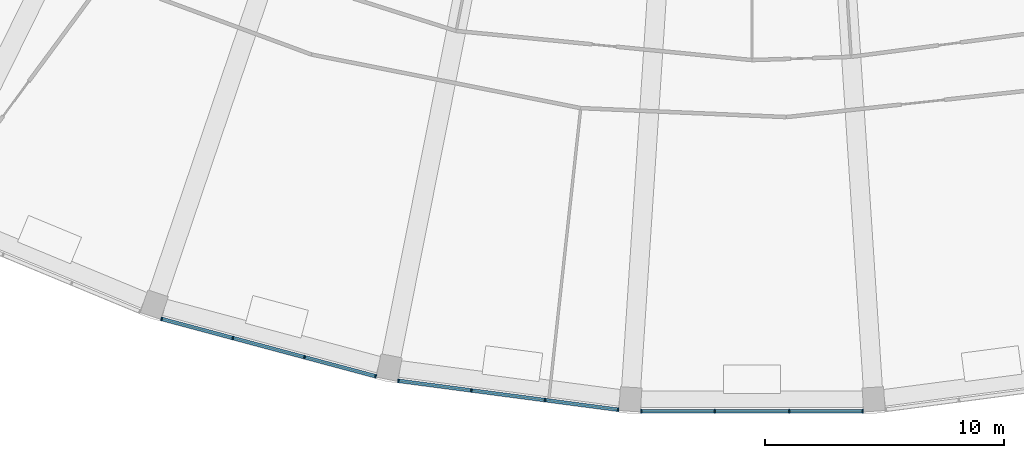
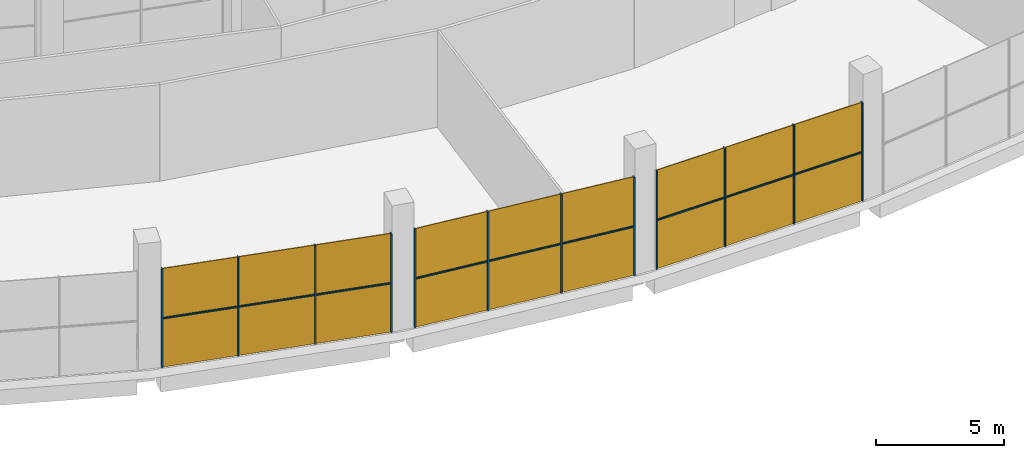
# One storey, part 26 of 41: 21 members, 3 curtain walls.
"""IFC4 building model written with IfcOpenShell, lengths in metres."""

from ifc_helpers import new_model, si_unit, direction, frame, origin, origin_2d, place, context, subcontext, project, spatial, rectangle, extrude, material, material_profile, profile_set, type_object, element, aggregate, save


model = new_model("IFC4")

# Units and contexts
model_context = context("Model", 3, precision=1e-05, world=origin(), true_north=direction((0.0, 1.0)))
body_context = subcontext(model_context, "Body", "Model", "MODEL_VIEW")
ifc_project = project(units=[si_unit("LENGTHUNIT", "METRE"), si_unit("AREAUNIT", "SQUARE_METRE"), si_unit("VOLUMEUNIT", "CUBIC_METRE"), si_unit("PLANEANGLEUNIT", "RADIAN"), si_unit("MASSUNIT", "GRAM", prefix="KILO")], contexts=[model_context])

# Member
ifc_material = material(Name="Aluminium 6063-T6 anodised", Category="aluminium")
ifc_material_profile_1 = material_profile(ifc_material, rectangle(XDim=0.14990234375, YDim=0.050048828125, at=origin_2d()))
ifc_profile_set_1 = profile_set([ifc_material_profile_1], Name="Aluminium 6063-T6 anodised")
member_type_1 = type_object("IfcMemberType", Name="Mullion 50 x 150 aluminium, frameless", PredefinedType="MULLION", material=ifc_profile_set_1)
site_placement = place(None, origin())
building_placement = place(site_placement, origin())
storey_placement = place(building_placement, frame((0.0, 0.0, 284.699951171875)))
member_1_placement = place(storey_placement, frame((-24.685546875, -74.22216796875, 0.0), z_axis=(0.0, 0.0, 1.0), x_axis=(0.258819045103, 0.965925826289, 0.0)))
member_1 = element("IfcMember", 1, at=member_1_placement, type_object=member_type_1, Name="e-cw3-L69-out05/M00", PredefinedType="MULLION", context=body_context, shape_type="SweptSolid", body=[
    extrude(rectangle(XDim=0.14990234375, YDim=0.050048828125, at=origin_2d()), origin(), (0.0, 0.0, 1.0), 4.699951171875),
])

member_2_placement = place(storey_placement, frame((-21.70947265625, -75.019775390625, 0.0), z_axis=(0.0, 0.0, 1.0), x_axis=(0.258819045103, 0.965925826289, 0.0)))
member_2 = element("IfcMember", 2, at=member_2_placement, type_object=member_type_1, Name="e-cw3-L69-out05/M01", PredefinedType="MULLION", context=body_context, shape_type="SweptSolid", body=[
    extrude(rectangle(XDim=0.14990234375, YDim=0.050048828125, at=origin_2d()), origin(), (0.0, 0.0, 1.0), 4.699951171875),
])

member_3_placement = place(storey_placement, frame((-18.708984375, -75.82373046875, 0.0), z_axis=(0.0, 0.0, 1.0), x_axis=(0.258819045103, 0.965925826289, 0.0)))
member_3 = element("IfcMember", 3, at=member_3_placement, type_object=member_type_1, Name="e-cw3-L69-out05/M02", PredefinedType="MULLION", context=body_context, shape_type="SweptSolid", body=[
    extrude(rectangle(XDim=0.14990234375, YDim=0.050048828125, at=origin_2d()), origin(), (0.0, 0.0, 1.0), 4.699951171875),
])

member_4_placement = place(storey_placement, frame((-15.732666015625, -76.62109375, 0.0), z_axis=(0.0, 0.0, 1.0), x_axis=(0.258819045103, 0.965925826289, 0.0)))
member_4 = element("IfcMember", 4, at=member_4_placement, type_object=member_type_1, Name="e-cw3-L69-out05/M03", PredefinedType="MULLION", context=body_context, shape_type="SweptSolid", body=[
    extrude(rectangle(XDim=0.14990234375, YDim=0.050048828125, at=origin_2d()), origin(), (0.0, 0.0, 1.0), 4.699951171875),
])

member_5_placement = place(storey_placement, frame((-14.786376953125, -76.809326171875, 0.0), z_axis=(0.0, 0.0, 1.0), x_axis=(0.13052619222, 0.991444861374, 0.0)))
member_5 = element("IfcMember", 5, at=member_5_placement, type_object=member_type_1, Name="e-cw3-L69-out06/M00", PredefinedType="MULLION", context=body_context, shape_type="SweptSolid", body=[
    extrude(rectangle(XDim=0.14990234375, YDim=0.050048828125, at=origin_2d()), origin(), (0.0, 0.0, 1.0), 4.699951171875),
])

member_6_placement = place(storey_placement, frame((-11.731689453125, -77.21142578125, 0.0), z_axis=(0.0, 0.0, 1.0), x_axis=(0.13052619222, 0.991444861374, 0.0)))
member_6 = element("IfcMember", 6, at=member_6_placement, type_object=member_type_1, Name="e-cw3-L69-out06/M01", PredefinedType="MULLION", context=body_context, shape_type="SweptSolid", body=[
    extrude(rectangle(XDim=0.14990234375, YDim=0.050048828125, at=origin_2d()), origin(), (0.0, 0.0, 1.0), 4.699951171875),
])

member_7_placement = place(storey_placement, frame((-8.65185546875, -77.616943359375, 0.0), z_axis=(0.0, 0.0, 1.0), x_axis=(0.13052619222, 0.991444861374, 0.0)))
member_7 = element("IfcMember", 7, at=member_7_placement, type_object=member_type_1, Name="e-cw3-L69-out06/M02", PredefinedType="MULLION", context=body_context, shape_type="SweptSolid", body=[
    extrude(rectangle(XDim=0.14990234375, YDim=0.050048828125, at=origin_2d()), origin(), (0.0, 0.0, 1.0), 4.699951171875),
])

member_8_placement = place(storey_placement, frame((-5.59716796875, -78.01904296875, 0.0), z_axis=(0.0, 0.0, 1.0), x_axis=(0.13052619222, 0.991444861374, 0.0)))
member_8 = element("IfcMember", 8, at=member_8_placement, type_object=member_type_1, Name="e-cw3-L69-out06/M03", PredefinedType="MULLION", context=body_context, shape_type="SweptSolid", body=[
    extrude(rectangle(XDim=0.14990234375, YDim=0.050048828125, at=origin_2d()), origin(), (0.0, 0.0, 1.0), 4.699951171875),
])

member_9_placement = place(storey_placement, frame((-4.63427734375, -78.082275390625, 0.0), z_axis=(0.0, 0.0, 1.0), x_axis=(0.0, 1.0, 0.0)))
member_9 = element("IfcMember", 9, at=member_9_placement, type_object=member_type_1, Name="e-cw3-L69-out07/M00", PredefinedType="MULLION", context=body_context, shape_type="SweptSolid", body=[
    extrude(rectangle(XDim=0.14990234375, YDim=0.050048828125, at=origin_2d()), origin(), (0.0, 0.0, 1.0), 4.699951171875),
])

member_10_placement = place(storey_placement, frame((-1.55322265625, -78.082275390625, 0.0), z_axis=(0.0, 0.0, 1.0), x_axis=(0.0, 1.0, 0.0)))
member_10 = element("IfcMember", 10, at=member_10_placement, type_object=member_type_1, Name="e-cw3-L69-out07/M01", PredefinedType="MULLION", context=body_context, shape_type="SweptSolid", body=[
    extrude(rectangle(XDim=0.14990234375, YDim=0.050048828125, at=origin_2d()), origin(), (0.0, 0.0, 1.0), 4.699951171875),
])

member_11_placement = place(storey_placement, frame((1.55322265625, -78.082275390625, 0.0), z_axis=(0.0, 0.0, 1.0), x_axis=(0.0, 1.0, 0.0)))
member_11 = element("IfcMember", 11, at=member_11_placement, type_object=member_type_1, Name="e-cw3-L69-out07/M02", PredefinedType="MULLION", context=body_context, shape_type="SweptSolid", body=[
    extrude(rectangle(XDim=0.14990234375, YDim=0.050048828125, at=origin_2d()), origin(), (0.0, 0.0, 1.0), 4.699951171875),
])

member_12_placement = place(storey_placement, frame((4.63427734375, -78.082275390625, 0.0), z_axis=(0.0, 0.0, 1.0), x_axis=(0.0, 1.0, 0.0)))
member_12 = element("IfcMember", 12, at=member_12_placement, type_object=member_type_1, Name="e-cw3-L69-out07/M03", PredefinedType="MULLION", context=body_context, shape_type="SweptSolid", body=[
    extrude(rectangle(XDim=0.14990234375, YDim=0.050048828125, at=origin_2d()), origin(), (0.0, 0.0, 1.0), 4.699951171875),
])

ifc_material_profile_2 = material_profile(ifc_material, rectangle(XDim=0.14990234375, YDim=0.050048828125, at=origin_2d()))
ifc_profile_set_2 = profile_set([ifc_material_profile_2], Name="Aluminium 6063-T6 anodised")
member_type_2 = type_object("IfcMemberType", Name="Transom 50 x 150 aluminium, frameless", PredefinedType="USERDEFINED", material=ifc_profile_set_2)
member_13_placement = place(storey_placement, frame((-24.661376953125, -74.228759765625, 2.35009765625), z_axis=(0.965936188505, -0.258780369688, 0.0), x_axis=(0.258780369688, 0.965936188505, 0.0)))
member_13 = element("IfcMember", 13, at=member_13_placement, type_object=member_type_2, Name="e-cw3-L69-out05/T00", ObjectType="TRANSOM", PredefinedType="USERDEFINED", context=body_context, shape_type="SweptSolid", body=[
    extrude(rectangle(XDim=0.14990234375, YDim=0.050048828125, at=origin_2d()), origin(), (0.0, 0.0, 1.0), 3.03125),
])

member_14_placement = place(storey_placement, frame((-21.685302734375, -75.026123046875, 2.35009765625), z_axis=(0.965926657748, -0.258815942036, 0.0), x_axis=(0.258815942036, 0.965926657748, 0.0)))
member_14 = element("IfcMember", 14, at=member_14_placement, type_object=member_type_2, Name="e-cw3-L69-out05/T01", ObjectType="TRANSOM", PredefinedType="USERDEFINED", context=body_context, shape_type="SweptSolid", body=[
    extrude(rectangle(XDim=0.14990234375, YDim=0.050048828125, at=origin_2d()), origin(), (0.0, 0.0, 1.0), 3.056396484375),
])

member_15_placement = place(storey_placement, frame((-18.684814453125, -75.830078125, 2.35009765625), z_axis=(0.965916053379, -0.258855515347, 0.0), x_axis=(0.258855515347, 0.965916053379, 0.0)))
member_15 = element("IfcMember", 15, at=member_15_placement, type_object=member_type_2, Name="e-cw3-L69-out05/T02", ObjectType="TRANSOM", PredefinedType="USERDEFINED", context=body_context, shape_type="SweptSolid", body=[
    extrude(rectangle(XDim=0.14990234375, YDim=0.050048828125, at=origin_2d()), origin(), (0.0, 0.0, 1.0), 3.03125),
])

member_16_placement = place(storey_placement, frame((-14.76171875, -76.8125, 2.35009765625), z_axis=(0.991441132243, -0.130554514652, 0.0), x_axis=(0.130554514652, 0.991441132243, 0.0)))
member_16 = element("IfcMember", 16, at=member_16_placement, type_object=member_type_2, Name="e-cw3-L69-out06/T00", ObjectType="TRANSOM", PredefinedType="USERDEFINED", context=body_context, shape_type="SweptSolid", body=[
    extrude(rectangle(XDim=0.14990234375, YDim=0.050048828125, at=origin_2d()), origin(), (0.0, 0.0, 1.0), 3.03125),
])

member_17_placement = place(storey_placement, frame((-11.706787109375, -77.21484375, 2.35009765625), z_axis=(0.991444232282, -0.130530970554, 0.0), x_axis=(0.130530970554, 0.991444232282, 0.0)))
member_17 = element("IfcMember", 17, at=member_17_placement, type_object=member_type_2, Name="e-cw3-L69-out06/T01", ObjectType="TRANSOM", PredefinedType="USERDEFINED", context=body_context, shape_type="SweptSolid", body=[
    extrude(rectangle(XDim=0.14990234375, YDim=0.050048828125, at=origin_2d()), origin(), (0.0, 0.0, 1.0), 3.05615234375),
])

member_18_placement = place(storey_placement, frame((-8.627197265625, -77.6201171875, 2.35009765625), z_axis=(0.991441132243, -0.130554514652, 0.0), x_axis=(0.130554514652, 0.991441132243, 0.0)))
member_18 = element("IfcMember", 18, at=member_18_placement, type_object=member_type_2, Name="e-cw3-L69-out06/T02", ObjectType="TRANSOM", PredefinedType="USERDEFINED", context=body_context, shape_type="SweptSolid", body=[
    extrude(rectangle(XDim=0.14990234375, YDim=0.050048828125, at=origin_2d()), origin(), (0.0, 0.0, 1.0), 3.03125),
])

member_19_placement = place(storey_placement, frame((-4.609375, -78.082275390625, 2.35009765625), z_axis=(1.0, 0.0, 0.0), x_axis=(0.0, 1.0, 0.0)))
member_19 = element("IfcMember", 19, at=member_19_placement, type_object=member_type_2, Name="e-cw3-L69-out07/T00", ObjectType="TRANSOM", PredefinedType="USERDEFINED", context=body_context, shape_type="SweptSolid", body=[
    extrude(rectangle(XDim=0.14990234375, YDim=0.050048828125, at=origin_2d()), origin(), (0.0, 0.0, 1.0), 3.03125),
])

member_20_placement = place(storey_placement, frame((-1.528076171875, -78.082275390625, 2.35009765625), z_axis=(1.0, 0.0, 0.0), x_axis=(0.0, 1.0, 0.0)))
member_20 = element("IfcMember", 20, at=member_20_placement, type_object=member_type_2, Name="e-cw3-L69-out07/T01", ObjectType="TRANSOM", PredefinedType="USERDEFINED", context=body_context, shape_type="SweptSolid", body=[
    extrude(rectangle(XDim=0.14990234375, YDim=0.050048828125, at=origin_2d()), origin(), (0.0, 0.0, 1.0), 3.05615234375),
])

member_21_placement = place(storey_placement, frame((1.578125, -78.082275390625, 2.35009765625), z_axis=(1.0, 0.0, 0.0), x_axis=(0.0, 1.0, 0.0)))
member_21 = element("IfcMember", 21, at=member_21_placement, type_object=member_type_2, Name="e-cw3-L69-out07/T02", ObjectType="TRANSOM", PredefinedType="USERDEFINED", context=body_context, shape_type="SweptSolid", body=[
    extrude(rectangle(XDim=0.14990234375, YDim=0.050048828125, at=origin_2d()), origin(), (0.0, 0.0, 1.0), 3.03125),
])

# Site, building, storey
site = spatial("IfcSite", under=ifc_project, at=site_placement, CompositionType="ELEMENT")
building = spatial("IfcBuilding", under=site, at=building_placement, Name="Qamariyya Broadcast Tower", CompositionType="ELEMENT")
storey = spatial("IfcBuildingStorey", under=building, at=storey_placement, Name="L69", CompositionType="ELEMENT", Elevation=284.699951171875)

# Curtain wall
curtain_wall_type = type_object("IfcCurtainWallType", Name="Observation deck frameless glazing wall", PredefinedType="NOTDEFINED", material=ifc_material)
curtain_wall_1_placement = place(storey_placement, origin())
curtain_wall_1 = element("IfcCurtainWall", 22, at=curtain_wall_1_placement, inside=storey, type_object=curtain_wall_type, Name="e-cw3-L69-out05", PredefinedType="NOTDEFINED", context=body_context, shape_type="SweptSolid", body=[
    extrude(rectangle(XDim=3.03125, YDim=0.031982421875, at=origin_2d()), frame((-23.197509765625, -74.62109375, 0.0), x_axis=(0.965925949265, -0.258818586151, 0.0)), (0.0, 0.0, 1.0), 2.324951171875),
    extrude(rectangle(XDim=3.03125, YDim=0.031982421875, at=origin_2d()), frame((-23.197509765625, -74.62109375, 2.375), x_axis=(0.965925949265, -0.258818586151, 0.0)), (0.0, 0.0, 1.0), 2.324951171875),
    extrude(rectangle(XDim=3.05615234375, YDim=0.031982421875, at=origin_2d()), frame((-20.208984375, -75.421875, 0.0), x_axis=(0.965925949265, -0.258818586151, 0.0)), (0.0, 0.0, 1.0), 2.324951171875),
    extrude(rectangle(XDim=3.05615234375, YDim=0.031982421875, at=origin_2d()), frame((-20.208984375, -75.421875, 2.375), x_axis=(0.965925949265, -0.258818586151, 0.0)), (0.0, 0.0, 1.0), 2.324951171875),
    extrude(rectangle(XDim=3.03125, YDim=0.031982421875, at=origin_2d()), frame((-17.220703125, -76.222412109375, 0.0), x_axis=(0.965925949265, -0.258818586151, 0.0)), (0.0, 0.0, 1.0), 2.324951171875),
    extrude(rectangle(XDim=3.03125, YDim=0.031982421875, at=origin_2d()), frame((-17.220703125, -76.222412109375, 2.375), x_axis=(0.965925949265, -0.258818586151, 0.0)), (0.0, 0.0, 1.0), 2.324951171875),
])

aggregate(curtain_wall_1, [member_1, member_2, member_3, member_4, member_13, member_14, member_15])

curtain_wall_2_placement = place(storey_placement, origin())
curtain_wall_2 = element("IfcCurtainWall", 23, at=curtain_wall_2_placement, inside=storey, type_object=curtain_wall_type, Name="e-cw3-L69-out06", PredefinedType="NOTDEFINED", context=body_context, shape_type="SweptSolid", body=[
    extrude(rectangle(XDim=3.03125, YDim=0.031982421875, at=origin_2d()), frame((-13.259033203125, -77.010498046875, 0.0), x_axis=(0.991445286748, -0.130522961144, 0.0)), (0.0, 0.0, 1.0), 2.324951171875),
    extrude(rectangle(XDim=3.03125, YDim=0.031982421875, at=origin_2d()), frame((-13.259033203125, -77.010498046875, 2.375), x_axis=(0.991445286748, -0.130522961144, 0.0)), (0.0, 0.0, 1.0), 2.324951171875),
    extrude(rectangle(XDim=3.05615234375, YDim=0.031982421875, at=origin_2d()), frame((-10.19189453125, -77.414306640625, 0.0), x_axis=(0.991445286748, -0.130522961144, 0.0)), (0.0, 0.0, 1.0), 2.324951171875),
    extrude(rectangle(XDim=3.05615234375, YDim=0.031982421875, at=origin_2d()), frame((-10.19189453125, -77.414306640625, 2.375), x_axis=(0.991445286748, -0.130522961144, 0.0)), (0.0, 0.0, 1.0), 2.324951171875),
    extrude(rectangle(XDim=3.03125, YDim=0.031982421875, at=origin_2d()), frame((-7.12451171875, -77.818115234375, 0.0), x_axis=(0.991445286748, -0.130522961144, 0.0)), (0.0, 0.0, 1.0), 2.324951171875),
    extrude(rectangle(XDim=3.03125, YDim=0.031982421875, at=origin_2d()), frame((-7.12451171875, -77.818115234375, 2.375), x_axis=(0.991445286748, -0.130522961144, 0.0)), (0.0, 0.0, 1.0), 2.324951171875),
])

aggregate(curtain_wall_2, [member_5, member_6, member_7, member_8, member_16, member_17, member_18])

curtain_wall_3_placement = place(storey_placement, origin())
curtain_wall_3 = element("IfcCurtainWall", 24, at=curtain_wall_3_placement, inside=storey, type_object=curtain_wall_type, Name="e-cw3-L69-out07", PredefinedType="NOTDEFINED", context=body_context, shape_type="SweptSolid", body=[
    extrude(rectangle(XDim=3.03125, YDim=0.031982421875, at=origin_2d()), frame((-3.09375, -78.082275390625, 0.0), x_axis=(1.0, 0.0, 0.0)), (0.0, 0.0, 1.0), 2.324951171875),
    extrude(rectangle(XDim=3.03125, YDim=0.031982421875, at=origin_2d()), frame((-3.09375, -78.082275390625, 2.375), x_axis=(1.0, 0.0, 0.0)), (0.0, 0.0, 1.0), 2.324951171875),
    extrude(rectangle(XDim=3.056396484375, YDim=0.031982421875, at=origin_2d()), frame((0.0, -78.082275390625, 0.0), x_axis=(1.0, 0.0, 0.0)), (0.0, 0.0, 1.0), 2.324951171875),
    extrude(rectangle(XDim=3.056396484375, YDim=0.031982421875, at=origin_2d()), frame((0.0, -78.082275390625, 2.375), x_axis=(1.0, 0.0, 0.0)), (0.0, 0.0, 1.0), 2.324951171875),
    extrude(rectangle(XDim=3.03125, YDim=0.031982421875, at=origin_2d()), frame((3.09375, -78.082275390625, 0.0), x_axis=(1.0, 0.0, 0.0)), (0.0, 0.0, 1.0), 2.324951171875),
    extrude(rectangle(XDim=3.03125, YDim=0.031982421875, at=origin_2d()), frame((3.09375, -78.082275390625, 2.375), x_axis=(1.0, 0.0, 0.0)), (0.0, 0.0, 1.0), 2.324951171875),
])

aggregate(curtain_wall_3, [member_9, member_10, member_11, member_12, member_19, member_20, member_21])

save(model, "model.ifc")
